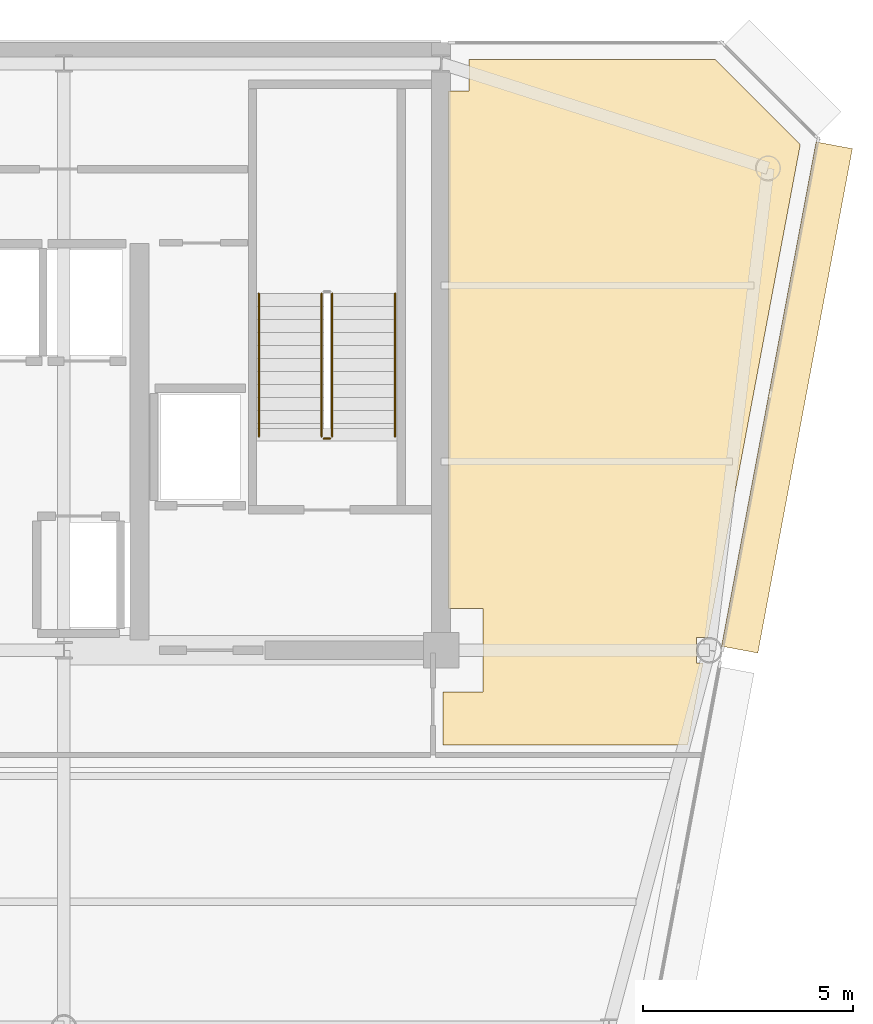
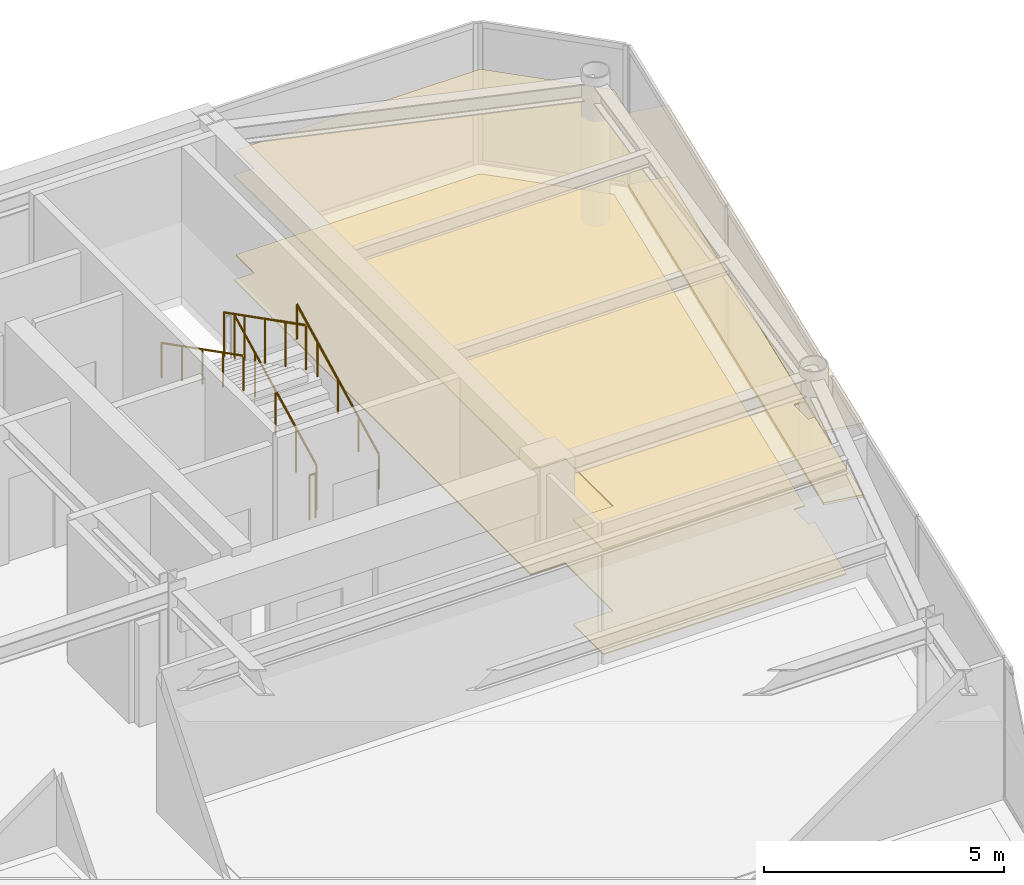
# One storey, part 16 of 19: 5 railings, 4 coverings.
"""IFC4 building model written with IfcOpenShell, lengths in metres."""

from ifc_helpers import new_model, si_unit, direction, frame, origin, origin_2d, place, context, subcontext, project, spatial, polyline, rectangle, circle, outline, extrude, source, transform, mapped, material, layer, layer_set, type_object, element, save


model = new_model("IFC4")

# Units and contexts
model_context = context("Model", 3, precision=1e-05, world=origin(), true_north=direction((0.0, 1.0)))
body_context = subcontext(model_context, "Body", "Model", "MODEL_VIEW")
ifc_project = project(units=[si_unit("LENGTHUNIT", "METRE"), si_unit("AREAUNIT", "SQUARE_METRE"), si_unit("VOLUMEUNIT", "CUBIC_METRE"), si_unit("PLANEANGLEUNIT", "RADIAN"), si_unit("MASSUNIT", "GRAM", prefix="KILO")], contexts=[model_context])

# Site, building, storey
site_placement = place(None, origin())
site = spatial("IfcSite", under=ifc_project, at=site_placement, CompositionType="ELEMENT")
building_placement = place(site_placement, origin())
building = spatial("IfcBuilding", under=site, at=building_placement, Name="Vaeldorn Concourse Tower", CompositionType="ELEMENT")
storey_placement = place(building_placement, frame((0.0, 0.0, 287.800048828125)))
storey = spatial("IfcBuildingStorey", under=building, at=storey_placement, Name="L74", CompositionType="ELEMENT", Elevation=287.800048828125)

# Coverings
ifc_material_1 = material(Name="Acoustic Mineral Fibre Board", Category="gypsum")
ifc_layer_1 = layer(ifc_material_1, 0.0400390625)
ifc_layer_set_1 = layer_set([ifc_layer_1], Name="Acoustic Mineral Fibre Board")
covering_type_1 = type_object("IfcCoveringType", Name="COV-CEIL-ACOUSTIC", PredefinedType="CEILING", material=ifc_layer_set_1)
covering_1_placement = place(storey_placement, frame((0.0, 0.0, 2.64990234375)))
element("IfcCovering", 1, at=covering_1_placement, inside=storey, type_object=covering_type_1, Name="Suspended Acoustic Ceiling L74-4", PredefinedType="CEILING", context=body_context, shape_type="SweptSolid", body=[
    extrude(outline(polyline([(54.179931640625, 49.840087890625), (54.659912109375, 49.840087890625), (54.659912109375, 50.60009765625), (60.5341796875, 50.60009765625), (62.568115234375, 48.56640625), (60.459716796875, 37.320068359375), (60.459716796875, 37.320068359375), (60.36328125, 36.804931640625), (60.094970703125, 36.804931640625), (60.094970703125, 36.195068359375), (60.248779296875, 36.195068359375), (59.88232421875, 34.239990234375), (54.0400390625, 34.239990234375), (54.0400390625, 35.5), (55.0, 35.5), (55.0, 37.5), (54.179931640625, 37.5), (54.179931640625, 49.840087890625)])), origin(), (0.0, 0.0, 1.0), 0.0400390625),
])
ifc_material_2 = material(Name="Honed Limestone Terrazzo Flooring", Category="masonry")
ifc_layer_2 = layer(ifc_material_2, 0.0400390625)
ifc_layer_set_2 = layer_set([ifc_layer_2], Name="Honed Limestone Terrazzo Flooring")
covering_type_2 = type_object("IfcCoveringType", Name="COV-FLOOR-STONE", PredefinedType="FLOORING", material=ifc_layer_set_2)
covering_2_placement = place(storey_placement, origin())
element("IfcCovering", 2, at=covering_2_placement, inside=storey, type_object=covering_type_2, Name="Floor Finish Covering L74-4", PredefinedType="FLOORING", context=body_context, shape_type="SweptSolid", body=[
    extrude(outline(polyline([(54.179931640625, 49.840087890625), (54.659912109375, 49.840087890625), (54.659912109375, 50.60009765625), (60.5341796875, 50.60009765625), (62.568115234375, 48.56640625), (60.459716796875, 37.320068359375), (60.459716796875, 37.320068359375), (60.36328125, 36.804931640625), (60.094970703125, 36.804931640625), (60.094970703125, 36.195068359375), (60.248779296875, 36.195068359375), (59.88232421875, 34.239990234375), (54.0400390625, 34.239990234375), (54.0400390625, 35.5), (55.0, 35.5), (55.0, 37.5), (54.179931640625, 37.5), (54.179931640625, 49.840087890625)])), origin(), (0.0, 0.0, 1.0), 0.030029296875),
])

# Railings
ifc_material_3 = material(Name="Anodised Bronze Aluminium", Category="aluminium")
railing_type_1 = type_object("IfcRailingType", Name="RL-STAIR-GUARD", PredefinedType="GUARDRAIL", material=ifc_material_3)
railing_1_placement = place(storey_placement, frame((51.39990234375, 41.60009765625, 0.158203125)))
element("IfcRailing", 3, at=railing_1_placement, inside=storey, type_object=railing_type_1, Name="L74 ST-2 stair guard 1", PredefinedType="GUARDRAIL", context=body_context, shape_type="SweptSolid", body=[
    extrude(circle(Radius=0.02392578125, at=origin_2d()), frame((0.0, 0.0, 1.1259765625), z_axis=(0.0, 0.890555807335, 0.454873997962), x_axis=(-1.0, 0.0, 0.0)), (0.0, 0.0, 1.0), 3.828857421875),
    extrude(circle(Radius=0.02099609375, at=origin_2d()), origin(), (0.0, 0.0, 1.0), 1.101806640625),
    extrude(circle(Radius=0.02099609375, at=origin_2d()), frame((0.0, 0.8525390625, 0.435546875)), (0.0, 0.0, 1.0), 1.101806640625),
    extrude(circle(Radius=0.02099609375, at=origin_2d()), frame((0.0, 1.705078125, 0.870849609375)), (0.0, 0.0, 1.0), 1.101806640625),
    extrude(circle(Radius=0.02099609375, at=origin_2d()), frame((0.0, 2.557373046875, 1.30615234375)), (0.0, 0.0, 1.0), 1.101806640625),
    extrude(circle(Radius=0.02099609375, at=origin_2d()), frame((0.0, 3.409912109375, 1.74169921875)), (0.0, 0.0, 1.0), 1.101806640625),
])
railing_2_placement = place(storey_placement, frame((51.14990234375, 45.010009765625, 2.058349609375)))
element("IfcRailing", 4, at=railing_2_placement, inside=storey, type_object=railing_type_1, Name="L74 ST-2 stair guard 3", PredefinedType="GUARDRAIL", context=body_context, shape_type="SweptSolid", body=[
    extrude(circle(Radius=0.02392578125, at=origin_2d()), frame((0.0, 0.0, 1.1259765625), z_axis=(0.0, -0.890555807335, 0.454873997962), x_axis=(1.0, 0.0, 0.0)), (0.0, 0.0, 1.0), 3.828857421875),
    extrude(circle(Radius=0.02099609375, at=origin_2d()), origin(), (0.0, 0.0, 1.0), 1.101806640625),
    extrude(circle(Radius=0.02099609375, at=origin_2d()), frame((0.0, -0.8525390625, 0.435546875)), (0.0, 0.0, 1.0), 1.101806640625),
    extrude(circle(Radius=0.02099609375, at=origin_2d()), frame((0.0, -1.705078125, 0.870849609375)), (0.0, 0.0, 1.0), 1.101806640625),
    extrude(circle(Radius=0.02099609375, at=origin_2d()), frame((0.0, -2.557373046875, 1.30615234375)), (0.0, 0.0, 1.0), 1.101806640625),
    extrude(circle(Radius=0.02099609375, at=origin_2d()), frame((0.0, -3.409912109375, 1.74169921875)), (0.0, 0.0, 1.0), 1.101806640625),
])
railing_3_placement = place(storey_placement, frame((51.35009765625, 41.550048828125, 0.0)))
element("IfcRailing", 5, at=railing_3_placement, inside=storey, type_object=railing_type_1, Name="L74 ST-2 stair guard 4", PredefinedType="GUARDRAIL", context=body_context, shape_type="SweptSolid", body=[
    extrude(circle(Radius=0.02392578125, at=origin_2d()), frame((0.0, 0.0, 1.1259765625), z_axis=(-1.0, 0.0, 0.0), x_axis=(0.0, -1.0, 0.0)), (0.0, 0.0, 1.0), 0.150146484375),
    extrude(circle(Radius=0.02099609375, at=origin_2d()), origin(), (0.0, 0.0, 1.0), 1.101806640625),
    extrude(circle(Radius=0.02099609375, at=origin_2d()), frame((-0.150146484375, 0.0, 0.0)), (0.0, 0.0, 1.0), 1.101806640625),
])
railing_type_2 = type_object("IfcRailingType", Name="RL-STAIR-HANDRAIL", PredefinedType="HANDRAIL", material=ifc_material_3)
railing_4_placement = place(storey_placement, frame((52.89990234375, 41.60009765625, 0.158203125)))
element("IfcRailing", 6, at=railing_4_placement, inside=storey, type_object=railing_type_2, Name="L74 ST-2 stair handrail 1", PredefinedType="HANDRAIL", context=body_context, shape_type="SweptSolid", body=[
    extrude(circle(Radius=0.02392578125, at=origin_2d()), frame((0.0, 0.0, 0.8759765625), z_axis=(0.0, 0.890555807335, 0.454873997962), x_axis=(-1.0, 0.0, 0.0)), (0.0, 0.0, 1.0), 3.828857421875),
    extrude(circle(Radius=0.02099609375, at=origin_2d()), origin(), (0.0, 0.0, 1.0), 0.851806640625),
    extrude(circle(Radius=0.02099609375, at=origin_2d()), frame((0.0, 0.8525390625, 0.435546875)), (0.0, 0.0, 1.0), 0.851806640625),
    extrude(circle(Radius=0.02099609375, at=origin_2d()), frame((0.0, 1.705078125, 0.870849609375)), (0.0, 0.0, 1.0), 0.851806640625),
    extrude(circle(Radius=0.02099609375, at=origin_2d()), frame((0.0, 2.557373046875, 1.30615234375)), (0.0, 0.0, 1.0), 0.851806640625),
    extrude(circle(Radius=0.02099609375, at=origin_2d()), frame((0.0, 3.409912109375, 1.74169921875)), (0.0, 0.0, 1.0), 0.851806640625),
])
railing_5_placement = place(storey_placement, frame((49.64990234375, 45.010009765625, 2.058349609375)))
element("IfcRailing", 7, at=railing_5_placement, inside=storey, type_object=railing_type_2, Name="L74 ST-2 stair handrail 2", PredefinedType="HANDRAIL", context=body_context, shape_type="SweptSolid", body=[
    extrude(circle(Radius=0.02392578125, at=origin_2d()), frame((0.0, 0.0, 0.8759765625), z_axis=(0.0, -0.890555807335, 0.454873997962), x_axis=(1.0, 0.0, 0.0)), (0.0, 0.0, 1.0), 3.828857421875),
    extrude(circle(Radius=0.02099609375, at=origin_2d()), origin(), (0.0, 0.0, 1.0), 0.851806640625),
    extrude(circle(Radius=0.02099609375, at=origin_2d()), frame((0.0, -0.8525390625, 0.435546875)), (0.0, 0.0, 1.0), 0.851806640625),
    extrude(circle(Radius=0.02099609375, at=origin_2d()), frame((0.0, -1.705078125, 0.870849609375)), (0.0, 0.0, 1.0), 0.851806640625),
    extrude(circle(Radius=0.02099609375, at=origin_2d()), frame((0.0, -2.557373046875, 1.30615234375)), (0.0, 0.0, 1.0), 0.851806640625),
    extrude(circle(Radius=0.02099609375, at=origin_2d()), frame((0.0, -3.409912109375, 1.74169921875)), (0.0, 0.0, 1.0), 0.851806640625),
])

# Coverings
ifc_layer_3 = layer(ifc_material_3, 0.06494140625)
ifc_layer_set_3 = layer_set([ifc_layer_3], Name="Anodised Bronze Aluminium")
covering_type_3 = type_object("IfcCoveringType", Name="SD-BRONZE-SUNSHADE", PredefinedType="USERDEFINED", material=ifc_layer_set_3)
shared_shape = source(origin(), body_context, "Body", "SweptSolid", [
    extrude(rectangle(XDim=12.241943359375, YDim=0.8798828125, at=origin_2d()), origin(), (0.0, 0.0, 1.0), 0.06494140625),
])
for number, where, z_axis, x_axis, name in (
    (8, (62.250732421875, 42.531494140625, 0.04736328125), (0.0, 0.0, 1.0), (0.1842429853, 0.98288072642, 0.0), "Horizontal Bronze Sunshade L74-E07.2.1"),
    (9, (62.250732421875, 42.531494140625, 1.867431640625), (0.0, 0.0, 1.0), (0.1842429853, 0.98288072642, 0.0), "Horizontal Bronze Sunshade L74-E07.2.2"),
):
    element("IfcCovering", number, at=place(storey_placement, frame(where, z_axis=z_axis, x_axis=x_axis)), inside=storey, type_object=covering_type_3, Name=name, ObjectType="SUNSHADE", PredefinedType="USERDEFINED", context=body_context, shape_type="MappedRepresentation", body=[
        mapped(shared_shape, transform((0.0, 0.0, 0.0), scale=1.0)),
    ])

save(model, "model.ifc")
